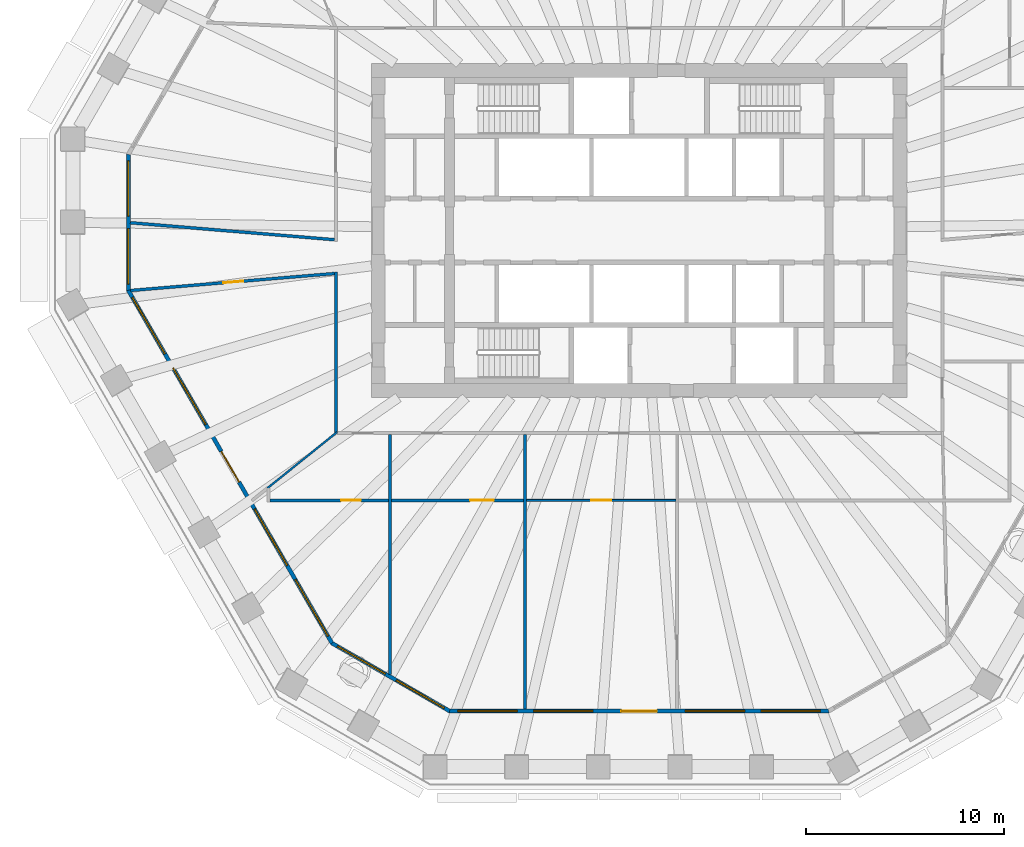
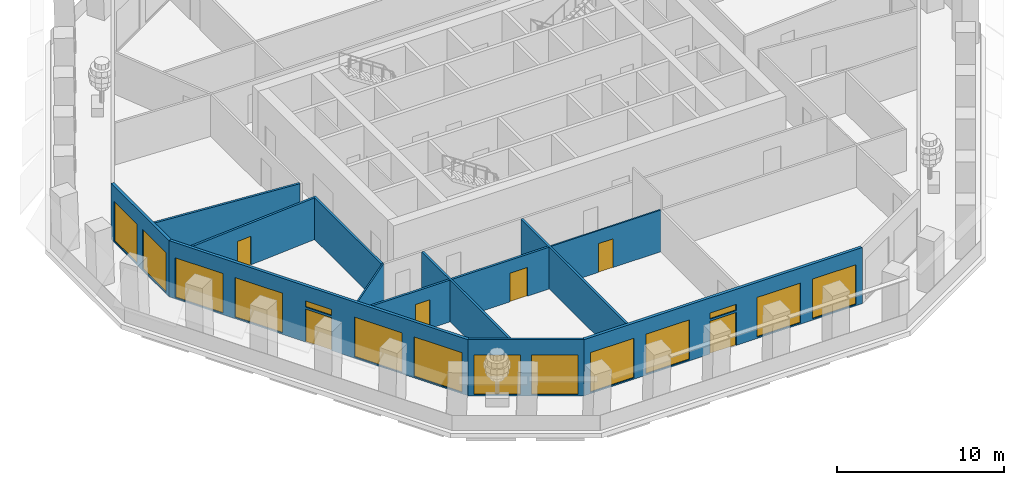
# One storey, part 3 of 12: 14 windows, 12 walls, 6 doors, 20 openings.
"""IFC4 building model written with IfcOpenShell, lengths in metres."""

from ifc_helpers import new_model, si_unit, direction, frame, frame_2d, origin, place, context, subcontext, project, spatial, polyline, rectangle, outline, extrude, material, layer, layer_set, type_object, element, fill, save


model = new_model("IFC4")

# Units and contexts
model_context = context("Model", 3, precision=1e-05, world=origin(), true_north=direction((0.0, 1.0)))
body_context = subcontext(model_context, "Body", "Model", "MODEL_VIEW")
ifc_project = project(units=[si_unit("LENGTHUNIT", "METRE"), si_unit("AREAUNIT", "SQUARE_METRE"), si_unit("VOLUMEUNIT", "CUBIC_METRE"), si_unit("PLANEANGLEUNIT", "RADIAN"), si_unit("MASSUNIT", "GRAM", prefix="KILO")], contexts=[model_context])

# Site, building, storey
site_placement = place(None, origin())
site = spatial("IfcSite", under=ifc_project, at=site_placement, CompositionType="ELEMENT")
building_placement = place(site_placement, origin())
building = spatial("IfcBuilding", under=site, at=building_placement, Name="Frailejon Research Tower", CompositionType="ELEMENT")
storey_placement = place(building_placement, frame((0.0, 0.0, 158.39990234375)))
storey = spatial("IfcBuildingStorey", under=building, at=storey_placement, Name="L34", CompositionType="ELEMENT", Elevation=158.39990234375)

# Wall
ifc_material_1 = material(Name="Gypsum board and masonry partition", Category="masonry")
ifc_layer_1 = layer(ifc_material_1, 0.14990234375)
ifc_layer_set_1 = layer_set([ifc_layer_1], Name="Corridor wall EI 60, gypsum on steel studs 150")
wall_type_1 = type_object("IfcWallType", Name="Corridor wall EI 60, gypsum on steel studs 150", PredefinedType="PARTITIONING", material=ifc_layer_set_1)
wall_1_placement = place(storey_placement, frame((-25.752197265625, 0.398193359375, 0.0), z_axis=(0.0, 0.0, 1.0), x_axis=(0.996557608681, -0.082903151815, 0.0)))
element("IfcWall", 1, at=wall_1_placement, inside=storey, type_object=wall_type_1, Name="T:IW:L34:001", PredefinedType="PARTITIONING", context=body_context, shape_type="SweptSolid", body=[
    extrude(rectangle(XDim=10.363037109375, YDim=0.14990234375, at=frame_2d((5.181640625, 0.0))), origin(), (0.0, 0.0, 1.0), 3.050048828125),
])

# Wall, opening, door
wall_2_placement = place(storey_placement, frame((-25.73193359375, -3.031005859375, 0.0), z_axis=(0.0, 0.0, 1.0), x_axis=(0.996555844057, 0.082924361177, 0.0)))
wall_2 = element("IfcWall", 2, at=wall_2_placement, inside=storey, type_object=wall_type_1, Name="T:IW:L34:002", PredefinedType="PARTITIONING", context=body_context, shape_type="SweptSolid", body=[
    extrude(rectangle(XDim=10.3427734375, YDim=0.14990234375, at=frame_2d((5.17138671875, 0.0))), origin(), (0.0, 0.0, 1.0), 3.050048828125),
])
opening_1_placement = place(wall_2_placement, frame((4.708984375, 0.0, 0.0)))
opening_1 = element("IfcOpeningElement", 3, at=opening_1_placement, cuts=wall_2, Name="Opening D1745", PredefinedType="OPENING", context=body_context, shape_type="SweptSolid", body=[
    extrude(rectangle(XDim=1.0, YDim=2.10009765625, at=frame_2d((0.5, 1.050048828125))), frame((0.0, 0.0849609375, 0.0), z_axis=(0.0, -1.0, 0.0), x_axis=(1.0, 0.0, 0.0)), (0.0, 0.0, 1.0), 0.169921875),
])
ifc_material_2 = material(Name="Timber door leaf", Category="wood")
door_type_1 = type_object("IfcDoorType", Name="Door single leaf, timber, steel frame 1000", OperationType="NOTDEFINED", PredefinedType="DOOR", material=ifc_material_2)
door_1_placement = place(opening_1_placement, origin())
door_1 = element("IfcDoor", 4, at=door_1_placement, inside=storey, type_object=door_type_1, Name="D1745", OperationType="SINGLE_SWING_LEFT", OverallHeight=2.10009765625, OverallWidth=1.0, PredefinedType="DOOR", context=body_context, shape_type="SweptSolid", body=[
    extrude(rectangle(XDim=1.0, YDim=2.10009765625, at=frame_2d((0.5, 1.050048828125))), frame((0.0, 0.02490234375, 0.0), z_axis=(0.0, -1.0, 0.0), x_axis=(1.0, 0.0, 0.0)), (0.0, 0.0, 1.0), 0.050048828125),
])
fill(opening_1, door_1)

# Wall
wall_3_placement = place(storey_placement, frame((-15.35009765625, -10.2099609375, 0.0), z_axis=(0.0, 0.0, 1.0), x_axis=(0.0, 1.0, 0.0)))
element("IfcWall", 5, at=wall_3_placement, inside=storey, type_object=wall_type_1, Name="T:IW:L34:006", PredefinedType="PARTITIONING", context=body_context, shape_type="SweptSolid", body=[
    extrude(rectangle(XDim=8.11767578125, YDim=0.14990234375, at=frame_2d((4.058837890625, 0.0))), origin(), (0.0, 0.0, 1.0), 3.050048828125),
])

# Wall, openings, doors
ifc_material_3 = material(Name="Gypsum board and masonry partition", Category="masonry")
ifc_layer_2 = layer(ifc_material_3, 0.14990234375)
ifc_layer_set_2 = layer_set([ifc_layer_2], Name="Laboratory partition, blockwork 150")
wall_type_2 = type_object("IfcWallType", Name="Laboratory partition, blockwork 150", PredefinedType="PARTITIONING", material=ifc_layer_set_2)
wall_4_placement = place(storey_placement, frame((-18.675048828125, -13.64990234375, 0.0), z_axis=(0.0, 0.0, 1.0), x_axis=(1.0, 0.0, 0.0)))
wall_4 = element("IfcWall", 6, at=wall_4_placement, inside=storey, type_object=wall_type_2, Name="T:IW:L34:022", PredefinedType="PARTITIONING", context=body_context, shape_type="SweptSolid", body=[
    extrude(rectangle(XDim=12.829833984375, YDim=0.14990234375, at=frame_2d((6.4150390625, 0.0))), origin(), (0.0, 0.0, 1.0), 3.050048828125),
])
opening_2_placement = place(wall_4_placement, frame((3.599853515625, 0.0, 0.0)))
opening_2 = element("IfcOpeningElement", 7, at=opening_2_placement, cuts=wall_4, Name="Opening D1747", PredefinedType="OPENING", context=body_context, shape_type="SweptSolid", body=[
    extrude(rectangle(XDim=1.0, YDim=2.10009765625, at=frame_2d((0.5, 1.050048828125))), frame((0.0, 0.0849609375, 0.0), z_axis=(0.0, -1.0, 0.0), x_axis=(1.0, 0.0, 0.0)), (0.0, 0.0, 1.0), 0.169921875),
])
opening_3_placement = place(wall_4_placement, frame((10.1181640625, 0.0, 0.0)))
opening_3 = element("IfcOpeningElement", 8, at=opening_3_placement, cuts=wall_4, Name="Opening D1749", PredefinedType="OPENING", context=body_context, shape_type="SweptSolid", body=[
    extrude(rectangle(XDim=1.199951171875, YDim=2.10009765625, at=frame_2d((0.60009765625, 1.050048828125))), frame((0.0, 0.0849609375, 0.0), z_axis=(0.0, -1.0, 0.0), x_axis=(1.0, 0.0, 0.0)), (0.0, 0.0, 1.0), 0.169921875),
])
ifc_material_4 = material(Name="Timber door leaf", Category="wood")
door_type_2 = type_object("IfcDoorType", Name="Door laboratory, timber, vision panel 1000", OperationType="NOTDEFINED", PredefinedType="DOOR", material=ifc_material_4)
door_2_placement = place(opening_2_placement, origin())
door_2 = element("IfcDoor", 9, at=door_2_placement, inside=storey, type_object=door_type_2, Name="D1747", OperationType="SINGLE_SWING_RIGHT", OverallHeight=2.10009765625, OverallWidth=1.0, PredefinedType="DOOR", context=body_context, shape_type="SweptSolid", body=[
    extrude(rectangle(XDim=1.0, YDim=2.10009765625, at=frame_2d((0.5, 1.050048828125))), frame((0.0, 0.02490234375, 0.0), z_axis=(0.0, -1.0, 0.0), x_axis=(1.0, 0.0, 0.0)), (0.0, 0.0, 1.0), 0.050048828125),
])
fill(opening_2, door_2)
ifc_material_5 = material(Name="Timber door leaf", Category="wood")
door_type_3 = type_object("IfcDoorType", Name="Door laboratory, timber, vision panel 1200", OperationType="NOTDEFINED", PredefinedType="DOOR", material=ifc_material_5)
door_3_placement = place(opening_3_placement, origin())
door_3 = element("IfcDoor", 10, at=door_3_placement, inside=storey, type_object=door_type_3, Name="D1749", OperationType="DOUBLE_DOOR_SINGLE_SWING", OverallHeight=2.10009765625, OverallWidth=1.199951171875, PredefinedType="DOOR", context=body_context, shape_type="SweptSolid", body=[
    extrude(rectangle(XDim=1.199951171875, YDim=2.10009765625, at=frame_2d((0.60009765625, 1.050048828125))), frame((0.0, 0.02490234375, 0.0), z_axis=(0.0, -1.0, 0.0), x_axis=(1.0, 0.0, 0.0)), (0.0, 0.0, 1.0), 0.050048828125),
])
fill(opening_3, door_3)

# Walls
wall_5_placement = place(storey_placement, frame((-12.616943359375, -22.451904296875, 0.0), z_axis=(0.0, 0.0, 1.0), x_axis=(0.0, 1.0, 0.0)))
element("IfcWall", 11, at=wall_5_placement, inside=storey, type_object=wall_type_2, Name="T:IW:L34:025", PredefinedType="PARTITIONING", context=body_context, shape_type="SweptSolid", body=[
    extrude(rectangle(XDim=12.126953125, YDim=0.14990234375, at=frame_2d((6.0634765625, 0.0))), origin(), (0.0, 0.0, 1.0), 3.050048828125),
])
wall_6_placement = place(storey_placement, frame((-5.77001953125, -24.21484375, 0.0), z_axis=(0.0, 0.0, 1.0), x_axis=(0.0, 1.0, 0.0)))
element("IfcWall", 12, at=wall_6_placement, inside=storey, type_object=wall_type_2, Name="T:IW:L34:026", PredefinedType="PARTITIONING", context=body_context, shape_type="SweptSolid", body=[
    extrude(rectangle(XDim=13.889892578125, YDim=0.14990234375, at=frame_2d((6.94482421875, 0.0))), origin(), (0.0, 0.0, 1.0), 3.050048828125),
])
ifc_material_6 = material(Name="Gypsum board and masonry partition", Category="masonry")
ifc_layer_3 = layer(ifc_material_6, 0.10009765625)
ifc_layer_set_3 = layer_set([ifc_layer_3], Name="Partition, gypsum on steel studs 100")
wall_type_3 = type_object("IfcWallType", Name="Partition, gypsum on steel studs 100", PredefinedType="PARTITIONING", material=ifc_layer_set_3)
wall_7_placement = place(storey_placement, frame((-18.808349609375, -13.031982421875, 0.0), z_axis=(0.0, 0.0, 1.0), x_axis=(0.779177269519, 0.626803623685, 0.0)))
element("IfcWall", 13, at=wall_7_placement, inside=storey, type_object=wall_type_3, Name="T:IW:L34:032", PredefinedType="PARTITIONING", context=body_context, shape_type="SweptSolid", body=[
    extrude(rectangle(XDim=4.513427734375, YDim=0.10009765625, at=frame_2d((2.2568359375, 0.0))), origin(), (0.0, 0.0, 1.0), 3.050048828125),
])

# Wall, opening, door
wall_8_placement = place(storey_placement, frame((-5.695068359375, -13.64990234375, 0.0), z_axis=(0.0, 0.0, 1.0), x_axis=(1.0, 0.0, 0.0)))
wall_8 = element("IfcWall", 14, at=wall_8_placement, inside=storey, type_object=wall_type_3, Name="T:IW:L34:033", PredefinedType="PARTITIONING", context=body_context, shape_type="SweptSolid", body=[
    extrude(rectangle(XDim=7.568359375, YDim=0.10009765625, at=frame_2d((3.7841796875, 0.0))), origin(), (0.0, 0.0, 1.0), 3.050048828125),
])
opening_4_placement = place(wall_8_placement, frame((3.271728515625, 0.0, 0.0)))
opening_4 = element("IfcOpeningElement", 15, at=opening_4_placement, cuts=wall_8, Name="Opening D1751", PredefinedType="OPENING", context=body_context, shape_type="SweptSolid", body=[
    extrude(rectangle(XDim=1.0, YDim=2.10009765625, at=frame_2d((0.5, 1.050048828125))), frame((0.0, 0.06005859375, 0.0), z_axis=(0.0, -1.0, 0.0), x_axis=(1.0, 0.0, 0.0)), (0.0, 0.0, 1.0), 0.1201171875),
])
door_4_placement = place(opening_4_placement, origin())
door_4 = element("IfcDoor", 16, at=door_4_placement, inside=storey, type_object=door_type_1, Name="D1751", OperationType="SINGLE_SWING_RIGHT", OverallHeight=2.10009765625, OverallWidth=1.0, PredefinedType="DOOR", context=body_context, shape_type="SweptSolid", body=[
    extrude(rectangle(XDim=1.0, YDim=2.10009765625, at=frame_2d((0.5, 1.050048828125))), frame((0.0, 0.02490234375, 0.0), z_axis=(0.0, -1.0, 0.0), x_axis=(1.0, 0.0, 0.0)), (0.0, 0.0, 1.0), 0.050048828125),
])
fill(opening_4, door_4)

# Wall, openings, windows
ifc_material_7 = material(Name="Concrete C40/50 precast window wall panel", Category="concrete")
ifc_layer_4 = layer(ifc_material_7, 0.199951171875)
ifc_layer_set_4 = layer_set([ifc_layer_4], Name="Window wall 200")
wall_type_4 = type_object("IfcWallType", Name="Window wall 200", PredefinedType="SOLIDWALL", material=ifc_layer_set_4)
wall_9_placement = place(storey_placement, frame((-25.852294921875, 3.85205078125, 0.0), z_axis=(0.0, 0.0, 1.0), x_axis=(0.0, -1.0, 0.0)))
wall_9 = element("IfcWall", 17, at=wall_9_placement, inside=storey, type_object=wall_type_4, Name="Exterior wall L34", PredefinedType="SOLIDWALL", context=body_context, shape_type="SweptSolid", body=[
    extrude(outline(polyline([(-0.02685546875, -0.10009765625), (1.1279296875, -0.10009765625), (2.282470703125, -0.10009765625), (3.437255859375, -0.10009765625), (4.592041015625, -0.10009765625), (5.74658203125, -0.10009765625), (6.9013671875, -0.10009765625), (6.84765625, 0.10009765625), (5.7109375, 0.10009765625), (4.573974609375, 0.10009765625), (3.437255859375, 0.10009765625), (2.300537109375, 0.10009765625), (1.16357421875, 0.10009765625), (0.02685546875, 0.10009765625), (-0.02685546875, -0.10009765625)])), origin(), (0.0, 0.0, 1.0), 4.10009765625),
])
opening_5_placement = place(wall_9_placement, frame((0.318603515625, 0.0, 0.10009765625)))
opening_5 = element("IfcOpeningElement", 18, at=opening_5_placement, cuts=wall_9, Name="Opening W3", PredefinedType="OPENING", context=body_context, shape_type="SweptSolid", body=[
    extrude(rectangle(XDim=2.800048828125, YDim=2.89990234375, at=frame_2d((1.39990234375, 1.449951171875))), frame((0.0, 0.10986328125, 0.0), z_axis=(0.0, -1.0, 0.0), x_axis=(1.0, 0.0, 0.0)), (0.0, 0.0, 1.0), 0.219970703125),
])
opening_6_placement = place(wall_9_placement, frame((3.756103515625, 0.0, 0.10009765625)))
opening_6 = element("IfcOpeningElement", 19, at=opening_6_placement, cuts=wall_9, Name="Opening W3", PredefinedType="OPENING", context=body_context, shape_type="SweptSolid", body=[
    extrude(rectangle(XDim=2.800048828125, YDim=2.89990234375, at=frame_2d((1.39990234375, 1.449951171875))), frame((0.0, 0.10986328125, 0.0), z_axis=(0.0, -1.0, 0.0), x_axis=(1.0, 0.0, 0.0)), (0.0, 0.0, 1.0), 0.219970703125),
])
ifc_material_8 = material(Name="Aluminium framed double glazing", Category="aluminium")
window_type_1 = type_object("IfcWindowType", Name="Window 2800x2900", PartitioningType="SINGLE_PANEL", PredefinedType="WINDOW", material=ifc_material_8)
window_1_placement = place(opening_5_placement, origin())
window_1 = element("IfcWindow", 20, at=window_1_placement, inside=storey, type_object=window_type_1, Name="Window L34", OverallHeight=2.89990234375, OverallWidth=2.800048828125, PartitioningType="SINGLE_PANEL", PredefinedType="WINDOW", context=body_context, shape_type="SweptSolid", body=[
    extrude(rectangle(XDim=2.800048828125, YDim=2.89990234375, at=frame_2d((1.39990234375, 1.449951171875))), frame((0.0, 0.030029296875, 0.0), z_axis=(0.0, -1.0, 0.0), x_axis=(1.0, 0.0, 0.0)), (0.0, 0.0, 1.0), 0.06005859375),
])
fill(opening_5, window_1)
window_2_placement = place(opening_6_placement, origin())
window_2 = element("IfcWindow", 21, at=window_2_placement, inside=storey, type_object=window_type_1, Name="Window L34", OverallHeight=2.89990234375, OverallWidth=2.800048828125, PartitioningType="SINGLE_PANEL", PredefinedType="WINDOW", context=body_context, shape_type="SweptSolid", body=[
    extrude(rectangle(XDim=2.800048828125, YDim=2.89990234375, at=frame_2d((1.39990234375, 1.449951171875))), frame((0.0, 0.030029296875, 0.0), z_axis=(0.0, -1.0, 0.0), x_axis=(1.0, 0.0, 0.0)), (0.0, 0.0, 1.0), 0.06005859375),
])
fill(opening_6, window_2)

# Wall, openings, door, windows
wall_10_placement = place(storey_placement, frame((-25.852294921875, -3.0224609375, 0.0), z_axis=(0.0, 0.0, 1.0), x_axis=(0.500000580948, -0.866025068374, 0.0)))
wall_10 = element("IfcWall", 22, at=wall_10_placement, inside=storey, type_object=wall_type_4, Name="Exterior wall L34", PredefinedType="SOLIDWALL", context=body_context, shape_type="SweptSolid", body=[
    extrude(outline(polyline([(-0.02685546875, -0.10009765625), (1.006591796875, -0.10009765625), (2.040283203125, -0.10009765625), (3.07373046875, -0.10009765625), (4.107421875, -0.10009765625), (5.140869140625, -0.10009765625), (6.17431640625, -0.10009765625), (7.2080078125, -0.10009765625), (8.241455078125, -0.10009765625), (9.275146484375, -0.10009765625), (10.30859375, -0.10009765625), (11.342041015625, -0.10009765625), (12.375732421875, -0.10009765625), (13.4091796875, -0.10009765625), (14.44287109375, -0.10009765625), (15.476318359375, -0.10009765625), (16.509765625, -0.10009765625), (17.54345703125, -0.10009765625), (18.576904296875, -0.10009765625), (19.610595703125, -0.10009765625), (20.64404296875, -0.10009765625), (20.59033203125, 0.10009765625), (19.562255859375, 0.10009765625), (18.533935546875, 0.10009765625), (17.505859375, 0.10009765625), (16.4775390625, 0.10009765625), (15.449462890625, 0.10009765625), (14.42138671875, 0.10009765625), (13.39306640625, 0.10009765625), (12.364990234375, 0.10009765625), (11.336669921875, 0.10009765625), (10.30859375, 0.10009765625), (9.280517578125, 0.10009765625), (8.252197265625, 0.10009765625), (7.22412109375, 0.10009765625), (6.19580078125, 0.10009765625), (5.167724609375, 0.10009765625), (4.1396484375, 0.10009765625), (3.111328125, 0.10009765625), (2.083251953125, 0.10009765625), (1.054931640625, 0.10009765625), (0.02685546875, 0.10009765625), (-0.02685546875, -0.10009765625)])), origin(), (0.0, 0.0, 1.0), 4.10009765625),
])
opening_7_placement = place(wall_10_placement, frame((0.41162109375, 0.0, 0.10009765625)))
opening_7 = element("IfcOpeningElement", 23, at=opening_7_placement, cuts=wall_10, Name="Opening W5", PredefinedType="OPENING", context=body_context, shape_type="SweptSolid", body=[
    extrude(rectangle(XDim=3.300048828125, YDim=2.89990234375, at=frame_2d((1.64990234375, 1.449951171875))), frame((0.0, 0.10986328125, 0.0), z_axis=(0.0, -1.0, 0.0), x_axis=(1.0, 0.0, 0.0)), (0.0, 0.0, 1.0), 0.219970703125),
])
opening_8_placement = place(wall_10_placement, frame((4.53515625, 0.0, 0.10009765625)))
opening_8 = element("IfcOpeningElement", 24, at=opening_8_placement, cuts=wall_10, Name="Opening W5", PredefinedType="OPENING", context=body_context, shape_type="SweptSolid", body=[
    extrude(rectangle(XDim=3.300048828125, YDim=2.89990234375, at=frame_2d((1.64990234375, 1.449951171875))), frame((0.0, 0.10986328125, 0.0), z_axis=(0.0, -1.0, 0.0), x_axis=(1.0, 0.0, 0.0)), (0.0, 0.0, 1.0), 0.219970703125),
])
opening_9_placement = place(wall_10_placement, frame((9.40869140625, 0.0, 0.0)))
opening_9 = element("IfcOpeningElement", 25, at=opening_9_placement, cuts=wall_10, Name="Opening LG34-4", PredefinedType="OPENING", context=body_context, shape_type="SweptSolid", body=[
    extrude(rectangle(XDim=1.800048828125, YDim=2.39990234375, at=frame_2d((0.89990234375, 1.199951171875))), frame((0.0, 0.10986328125, 0.0), z_axis=(0.0, -1.0, 0.0), x_axis=(1.0, 0.0, 0.0)), (0.0, 0.0, 1.0), 0.219970703125),
])
opening_10_placement = place(wall_10_placement, frame((9.40869140625, 0.0, 2.550048828125)))
opening_10 = element("IfcOpeningElement", 26, at=opening_10_placement, cuts=wall_10, Name="Opening W1", PredefinedType="OPENING", context=body_context, shape_type="SweptSolid", body=[
    extrude(rectangle(XDim=1.800048828125, YDim=0.449951171875, at=frame_2d((0.89990234375, 0.22509765625))), frame((0.0, 0.10986328125, 0.0), z_axis=(0.0, -1.0, 0.0), x_axis=(1.0, 0.0, 0.0)), (0.0, 0.0, 1.0), 0.219970703125),
])
opening_11_placement = place(wall_10_placement, frame((12.781982421875, 0.0, 0.10009765625)))
opening_11 = element("IfcOpeningElement", 27, at=opening_11_placement, cuts=wall_10, Name="Opening W5", PredefinedType="OPENING", context=body_context, shape_type="SweptSolid", body=[
    extrude(rectangle(XDim=3.300048828125, YDim=2.89990234375, at=frame_2d((1.64990234375, 1.449951171875))), frame((0.0, 0.10986328125, 0.0), z_axis=(0.0, -1.0, 0.0), x_axis=(1.0, 0.0, 0.0)), (0.0, 0.0, 1.0), 0.219970703125),
])
opening_12_placement = place(wall_10_placement, frame((16.905517578125, 0.0, 0.10009765625)))
opening_12 = element("IfcOpeningElement", 28, at=opening_12_placement, cuts=wall_10, Name="Opening W5", PredefinedType="OPENING", context=body_context, shape_type="SweptSolid", body=[
    extrude(rectangle(XDim=3.300048828125, YDim=2.89990234375, at=frame_2d((1.64990234375, 1.449951171875))), frame((0.0, 0.10986328125, 0.0), z_axis=(0.0, -1.0, 0.0), x_axis=(1.0, 0.0, 0.0)), (0.0, 0.0, 1.0), 0.219970703125),
])
ifc_material_9 = material(Name="Aluminium framed glazed door leaf", Category="aluminium")
door_type_4 = type_object("IfcDoorType", Name="Loggia door 1800x2400", OperationType="DOUBLE_DOOR_SINGLE_SWING", PredefinedType="DOOR", material=ifc_material_9)
door_5_placement = place(opening_9_placement, origin())
door_5 = element("IfcDoor", 29, at=door_5_placement, inside=storey, type_object=door_type_4, Name="Door LG34-4", OperationType="DOUBLE_DOOR_SINGLE_SWING", OverallHeight=2.39990234375, OverallWidth=1.800048828125, PredefinedType="DOOR", context=body_context, shape_type="SweptSolid", body=[
    extrude(rectangle(XDim=1.800048828125, YDim=2.39990234375, at=frame_2d((0.89990234375, 1.199951171875))), frame((0.0, 0.02490234375, 0.0), z_axis=(0.0, -1.0, 0.0), x_axis=(1.0, 0.0, 0.0)), (0.0, 0.0, 1.0), 0.050048828125),
])
fill(opening_9, door_5)
ifc_material_10 = material(Name="Aluminium framed double glazing", Category="aluminium")
window_type_2 = type_object("IfcWindowType", Name="Window 1800x450", PartitioningType="SINGLE_PANEL", PredefinedType="WINDOW", material=ifc_material_10)
window_3_placement = place(opening_10_placement, origin())
window_3 = element("IfcWindow", 30, at=window_3_placement, inside=storey, type_object=window_type_2, Name="Window L34", OverallHeight=0.449951171875, OverallWidth=1.800048828125, PartitioningType="SINGLE_PANEL", PredefinedType="WINDOW", context=body_context, shape_type="SweptSolid", body=[
    extrude(rectangle(XDim=1.800048828125, YDim=0.449951171875, at=frame_2d((0.89990234375, 0.22509765625))), frame((0.0, 0.030029296875, 0.0), z_axis=(0.0, -1.0, 0.0), x_axis=(1.0, 0.0, 0.0)), (0.0, 0.0, 1.0), 0.06005859375),
])
fill(opening_10, window_3)
ifc_material_11 = material(Name="Aluminium framed double glazing", Category="aluminium")
window_type_3 = type_object("IfcWindowType", Name="Window 3300x2900", PartitioningType="SINGLE_PANEL", PredefinedType="WINDOW", material=ifc_material_11)
window_4_placement = place(opening_7_placement, origin())
window_4 = element("IfcWindow", 31, at=window_4_placement, inside=storey, type_object=window_type_3, Name="Window L34", OverallHeight=2.89990234375, OverallWidth=3.300048828125, PartitioningType="SINGLE_PANEL", PredefinedType="WINDOW", context=body_context, shape_type="SweptSolid", body=[
    extrude(rectangle(XDim=3.300048828125, YDim=2.89990234375, at=frame_2d((1.64990234375, 1.449951171875))), frame((0.0, 0.030029296875, 0.0), z_axis=(0.0, -1.0, 0.0), x_axis=(1.0, 0.0, 0.0)), (0.0, 0.0, 1.0), 0.06005859375),
])
fill(opening_7, window_4)
window_5_placement = place(opening_8_placement, origin())
window_5 = element("IfcWindow", 32, at=window_5_placement, inside=storey, type_object=window_type_3, Name="Window L34", OverallHeight=2.89990234375, OverallWidth=3.300048828125, PartitioningType="SINGLE_PANEL", PredefinedType="WINDOW", context=body_context, shape_type="SweptSolid", body=[
    extrude(rectangle(XDim=3.300048828125, YDim=2.89990234375, at=frame_2d((1.64990234375, 1.449951171875))), frame((0.0, 0.030029296875, 0.0), z_axis=(0.0, -1.0, 0.0), x_axis=(1.0, 0.0, 0.0)), (0.0, 0.0, 1.0), 0.06005859375),
])
fill(opening_8, window_5)
window_6_placement = place(opening_11_placement, origin())
window_6 = element("IfcWindow", 33, at=window_6_placement, inside=storey, type_object=window_type_3, Name="Window L34", OverallHeight=2.89990234375, OverallWidth=3.300048828125, PartitioningType="SINGLE_PANEL", PredefinedType="WINDOW", context=body_context, shape_type="SweptSolid", body=[
    extrude(rectangle(XDim=3.300048828125, YDim=2.89990234375, at=frame_2d((1.64990234375, 1.449951171875))), frame((0.0, 0.030029296875, 0.0), z_axis=(0.0, -1.0, 0.0), x_axis=(1.0, 0.0, 0.0)), (0.0, 0.0, 1.0), 0.06005859375),
])
fill(opening_11, window_6)
window_7_placement = place(opening_12_placement, origin())
window_7 = element("IfcWindow", 34, at=window_7_placement, inside=storey, type_object=window_type_3, Name="Window L34", OverallHeight=2.89990234375, OverallWidth=3.300048828125, PartitioningType="SINGLE_PANEL", PredefinedType="WINDOW", context=body_context, shape_type="SweptSolid", body=[
    extrude(rectangle(XDim=3.300048828125, YDim=2.89990234375, at=frame_2d((1.64990234375, 1.449951171875))), frame((0.0, 0.030029296875, 0.0), z_axis=(0.0, -1.0, 0.0), x_axis=(1.0, 0.0, 0.0)), (0.0, 0.0, 1.0), 0.06005859375),
])
fill(opening_12, window_7)

# Wall, openings, windows
wall_11_placement = place(storey_placement, frame((-15.543701171875, -20.87744140625, 0.0), z_axis=(0.0, 0.0, 1.0), x_axis=(0.866029458321, -0.49999297727, 0.0)))
wall_11 = element("IfcWall", 35, at=wall_11_placement, inside=storey, type_object=wall_type_4, Name="Exterior wall L34", PredefinedType="SOLIDWALL", context=body_context, shape_type="SweptSolid", body=[
    extrude(outline(polyline([(-0.02685546875, -0.10009765625), (1.1279296875, -0.10009765625), (2.282470703125, -0.10009765625), (3.437255859375, -0.10009765625), (4.592041015625, -0.10009765625), (5.74658203125, -0.10009765625), (6.9013671875, -0.10009765625), (6.84765625, 0.10009765625), (5.7109375, 0.10009765625), (4.573974609375, 0.10009765625), (3.437255859375, 0.10009765625), (2.300537109375, 0.10009765625), (1.16357421875, 0.10009765625), (0.02685546875, 0.10009765625), (-0.02685546875, -0.10009765625)])), origin(), (0.0, 0.0, 1.0), 4.10009765625),
])
opening_13_placement = place(wall_11_placement, frame((0.318603515625, 0.0, 0.10009765625)))
opening_13 = element("IfcOpeningElement", 36, at=opening_13_placement, cuts=wall_11, Name="Opening W3", PredefinedType="OPENING", context=body_context, shape_type="SweptSolid", body=[
    extrude(rectangle(XDim=2.800048828125, YDim=2.89990234375, at=frame_2d((1.39990234375, 1.449951171875))), frame((0.0, 0.10986328125, 0.0), z_axis=(0.0, -1.0, 0.0), x_axis=(1.0, 0.0, 0.0)), (0.0, 0.0, 1.0), 0.219970703125),
])
opening_14_placement = place(wall_11_placement, frame((3.756103515625, 0.0, 0.10009765625)))
opening_14 = element("IfcOpeningElement", 37, at=opening_14_placement, cuts=wall_11, Name="Opening W3", PredefinedType="OPENING", context=body_context, shape_type="SweptSolid", body=[
    extrude(rectangle(XDim=2.800048828125, YDim=2.89990234375, at=frame_2d((1.39990234375, 1.449951171875))), frame((0.0, 0.10986328125, 0.0), z_axis=(0.0, -1.0, 0.0), x_axis=(1.0, 0.0, 0.0)), (0.0, 0.0, 1.0), 0.219970703125),
])
window_8_placement = place(opening_13_placement, origin())
window_8 = element("IfcWindow", 38, at=window_8_placement, inside=storey, type_object=window_type_1, Name="Window L34", OverallHeight=2.89990234375, OverallWidth=2.800048828125, PartitioningType="SINGLE_PANEL", PredefinedType="WINDOW", context=body_context, shape_type="SweptSolid", body=[
    extrude(rectangle(XDim=2.800048828125, YDim=2.89990234375, at=frame_2d((1.39990234375, 1.449951171875))), frame((0.0, 0.030029296875, 0.0), z_axis=(0.0, -1.0, 0.0), x_axis=(1.0, 0.0, 0.0)), (0.0, 0.0, 1.0), 0.06005859375),
])
fill(opening_13, window_8)
window_9_placement = place(opening_14_placement, origin())
window_9 = element("IfcWindow", 39, at=window_9_placement, inside=storey, type_object=window_type_1, Name="Window L34", OverallHeight=2.89990234375, OverallWidth=2.800048828125, PartitioningType="SINGLE_PANEL", PredefinedType="WINDOW", context=body_context, shape_type="SweptSolid", body=[
    extrude(rectangle(XDim=2.800048828125, YDim=2.89990234375, at=frame_2d((1.39990234375, 1.449951171875))), frame((0.0, 0.030029296875, 0.0), z_axis=(0.0, -1.0, 0.0), x_axis=(1.0, 0.0, 0.0)), (0.0, 0.0, 1.0), 0.06005859375),
])
fill(opening_14, window_9)

# Wall, openings, door, windows
wall_12_placement = place(storey_placement, frame((-9.590087890625, -24.314697265625, 0.0), z_axis=(0.0, 0.0, 1.0), x_axis=(1.0, 0.0, 0.0)))
wall_12 = element("IfcWall", 40, at=wall_12_placement, inside=storey, type_object=wall_type_4, Name="Exterior wall L34", PredefinedType="SOLIDWALL", context=body_context, shape_type="SweptSolid", body=[
    extrude(outline(polyline([(-0.02685546875, -0.10009765625), (0.9853515625, -0.10009765625), (1.997802734375, -0.10009765625), (3.010009765625, -0.10009765625), (4.0224609375, -0.10009765625), (5.03466796875, -0.10009765625), (6.047119140625, -0.10009765625), (7.059326171875, -0.10009765625), (8.071533203125, -0.10009765625), (9.083984375, -0.10009765625), (10.09619140625, -0.10009765625), (11.108642578125, -0.10009765625), (12.120849609375, -0.10009765625), (13.133056640625, -0.10009765625), (14.1455078125, -0.10009765625), (15.15771484375, -0.10009765625), (16.170166015625, -0.10009765625), (17.182373046875, -0.10009765625), (18.19482421875, -0.10009765625), (19.20703125, -0.10009765625), (19.1533203125, 0.10009765625), (18.146728515625, 0.10009765625), (17.139892578125, 0.10009765625), (16.13330078125, 0.10009765625), (15.126708984375, 0.10009765625), (14.1201171875, 0.10009765625), (13.11328125, 0.10009765625), (12.106689453125, 0.10009765625), (11.10009765625, 0.10009765625), (10.093505859375, 0.10009765625), (9.086669921875, 0.10009765625), (8.080078125, 0.10009765625), (7.073486328125, 0.10009765625), (6.06689453125, 0.10009765625), (5.06005859375, 0.10009765625), (4.053466796875, 0.10009765625), (3.046875, 0.10009765625), (2.040283203125, 0.10009765625), (1.033447265625, 0.10009765625), (0.02685546875, 0.10009765625), (-0.02685546875, -0.10009765625)])), origin(), (0.0, 0.0, 1.0), 4.10009765625),
])
opening_15_placement = place(wall_12_placement, frame((0.41796875, 0.0, 0.10009765625)))
opening_15 = element("IfcOpeningElement", 41, at=opening_15_placement, cuts=wall_12, Name="Opening W4", PredefinedType="OPENING", context=body_context, shape_type="SweptSolid", body=[
    extrude(rectangle(XDim=3.0, YDim=2.89990234375, at=frame_2d((1.5, 1.449951171875))), frame((0.0, 0.10986328125, 0.0), z_axis=(0.0, -1.0, 0.0), x_axis=(1.0, 0.0, 0.0)), (0.0, 0.0, 1.0), 0.219970703125),
])
opening_16_placement = place(wall_12_placement, frame((4.254150390625, 0.0, 0.10009765625)))
opening_16 = element("IfcOpeningElement", 42, at=opening_16_placement, cuts=wall_12, Name="Opening W4", PredefinedType="OPENING", context=body_context, shape_type="SweptSolid", body=[
    extrude(rectangle(XDim=3.0, YDim=2.89990234375, at=frame_2d((1.5, 1.449951171875))), frame((0.0, 0.10986328125, 0.0), z_axis=(0.0, -1.0, 0.0), x_axis=(1.0, 0.0, 0.0)), (0.0, 0.0, 1.0), 0.219970703125),
])
opening_17_placement = place(wall_12_placement, frame((8.690185546875, 0.0, 0.0)))
opening_17 = element("IfcOpeningElement", 43, at=opening_17_placement, cuts=wall_12, Name="Opening LG34-5", PredefinedType="OPENING", context=body_context, shape_type="SweptSolid", body=[
    extrude(rectangle(XDim=1.800048828125, YDim=2.39990234375, at=frame_2d((0.89990234375, 1.199951171875))), frame((0.0, 0.10986328125, 0.0), z_axis=(0.0, -1.0, 0.0), x_axis=(1.0, 0.0, 0.0)), (0.0, 0.0, 1.0), 0.219970703125),
])
opening_18_placement = place(wall_12_placement, frame((8.690185546875, 0.0, 2.550048828125)))
opening_18 = element("IfcOpeningElement", 44, at=opening_18_placement, cuts=wall_12, Name="Opening W1", PredefinedType="OPENING", context=body_context, shape_type="SweptSolid", body=[
    extrude(rectangle(XDim=1.800048828125, YDim=0.449951171875, at=frame_2d((0.89990234375, 0.22509765625))), frame((0.0, 0.10986328125, 0.0), z_axis=(0.0, -1.0, 0.0), x_axis=(1.0, 0.0, 0.0)), (0.0, 0.0, 1.0), 0.219970703125),
])
opening_19_placement = place(wall_12_placement, frame((11.92626953125, 0.0, 0.10009765625)))
opening_19 = element("IfcOpeningElement", 45, at=opening_19_placement, cuts=wall_12, Name="Opening W4", PredefinedType="OPENING", context=body_context, shape_type="SweptSolid", body=[
    extrude(rectangle(XDim=3.0, YDim=2.89990234375, at=frame_2d((1.5, 1.449951171875))), frame((0.0, 0.10986328125, 0.0), z_axis=(0.0, -1.0, 0.0), x_axis=(1.0, 0.0, 0.0)), (0.0, 0.0, 1.0), 0.219970703125),
])
opening_20_placement = place(wall_12_placement, frame((15.76220703125, 0.0, 0.10009765625)))
opening_20 = element("IfcOpeningElement", 46, at=opening_20_placement, cuts=wall_12, Name="Opening W4", PredefinedType="OPENING", context=body_context, shape_type="SweptSolid", body=[
    extrude(rectangle(XDim=3.0, YDim=2.89990234375, at=frame_2d((1.5, 1.449951171875))), frame((0.0, 0.10986328125, 0.0), z_axis=(0.0, -1.0, 0.0), x_axis=(1.0, 0.0, 0.0)), (0.0, 0.0, 1.0), 0.219970703125),
])
door_6_placement = place(opening_17_placement, origin())
door_6 = element("IfcDoor", 47, at=door_6_placement, inside=storey, type_object=door_type_4, Name="Door LG34-5", OperationType="DOUBLE_DOOR_SINGLE_SWING", OverallHeight=2.39990234375, OverallWidth=1.800048828125, PredefinedType="DOOR", context=body_context, shape_type="SweptSolid", body=[
    extrude(rectangle(XDim=1.800048828125, YDim=2.39990234375, at=frame_2d((0.89990234375, 1.199951171875))), frame((0.0, 0.02490234375, 0.0), z_axis=(0.0, -1.0, 0.0), x_axis=(1.0, 0.0, 0.0)), (0.0, 0.0, 1.0), 0.050048828125),
])
fill(opening_17, door_6)
window_10_placement = place(opening_18_placement, origin())
window_10 = element("IfcWindow", 48, at=window_10_placement, inside=storey, type_object=window_type_2, Name="Window L34", OverallHeight=0.449951171875, OverallWidth=1.800048828125, PartitioningType="SINGLE_PANEL", PredefinedType="WINDOW", context=body_context, shape_type="SweptSolid", body=[
    extrude(rectangle(XDim=1.800048828125, YDim=0.449951171875, at=frame_2d((0.89990234375, 0.22509765625))), frame((0.0, 0.030029296875, 0.0), z_axis=(0.0, -1.0, 0.0), x_axis=(1.0, 0.0, 0.0)), (0.0, 0.0, 1.0), 0.06005859375),
])
fill(opening_18, window_10)
ifc_material_12 = material(Name="Aluminium framed double glazing", Category="aluminium")
window_type_4 = type_object("IfcWindowType", Name="Window 3000x2900", PartitioningType="SINGLE_PANEL", PredefinedType="WINDOW", material=ifc_material_12)
window_11_placement = place(opening_15_placement, origin())
window_11 = element("IfcWindow", 49, at=window_11_placement, inside=storey, type_object=window_type_4, Name="Window L34", OverallHeight=2.89990234375, OverallWidth=3.0, PartitioningType="SINGLE_PANEL", PredefinedType="WINDOW", context=body_context, shape_type="SweptSolid", body=[
    extrude(rectangle(XDim=3.0, YDim=2.89990234375, at=frame_2d((1.5, 1.449951171875))), frame((0.0, 0.030029296875, 0.0), z_axis=(0.0, -1.0, 0.0), x_axis=(1.0, 0.0, 0.0)), (0.0, 0.0, 1.0), 0.06005859375),
])
fill(opening_15, window_11)
window_12_placement = place(opening_16_placement, origin())
window_12 = element("IfcWindow", 50, at=window_12_placement, inside=storey, type_object=window_type_4, Name="Window L34", OverallHeight=2.89990234375, OverallWidth=3.0, PartitioningType="SINGLE_PANEL", PredefinedType="WINDOW", context=body_context, shape_type="SweptSolid", body=[
    extrude(rectangle(XDim=3.0, YDim=2.89990234375, at=frame_2d((1.5, 1.449951171875))), frame((0.0, 0.030029296875, 0.0), z_axis=(0.0, -1.0, 0.0), x_axis=(1.0, 0.0, 0.0)), (0.0, 0.0, 1.0), 0.06005859375),
])
fill(opening_16, window_12)
window_13_placement = place(opening_19_placement, origin())
window_13 = element("IfcWindow", 51, at=window_13_placement, inside=storey, type_object=window_type_4, Name="Window L34", OverallHeight=2.89990234375, OverallWidth=3.0, PartitioningType="SINGLE_PANEL", PredefinedType="WINDOW", context=body_context, shape_type="SweptSolid", body=[
    extrude(rectangle(XDim=3.0, YDim=2.89990234375, at=frame_2d((1.5, 1.449951171875))), frame((0.0, 0.030029296875, 0.0), z_axis=(0.0, -1.0, 0.0), x_axis=(1.0, 0.0, 0.0)), (0.0, 0.0, 1.0), 0.06005859375),
])
fill(opening_19, window_13)
window_14_placement = place(opening_20_placement, origin())
window_14 = element("IfcWindow", 52, at=window_14_placement, inside=storey, type_object=window_type_4, Name="Window L34", OverallHeight=2.89990234375, OverallWidth=3.0, PartitioningType="SINGLE_PANEL", PredefinedType="WINDOW", context=body_context, shape_type="SweptSolid", body=[
    extrude(rectangle(XDim=3.0, YDim=2.89990234375, at=frame_2d((1.5, 1.449951171875))), frame((0.0, 0.030029296875, 0.0), z_axis=(0.0, -1.0, 0.0), x_axis=(1.0, 0.0, 0.0)), (0.0, 0.0, 1.0), 0.06005859375),
])
fill(opening_20, window_14)

save(model, "model.ifc")
